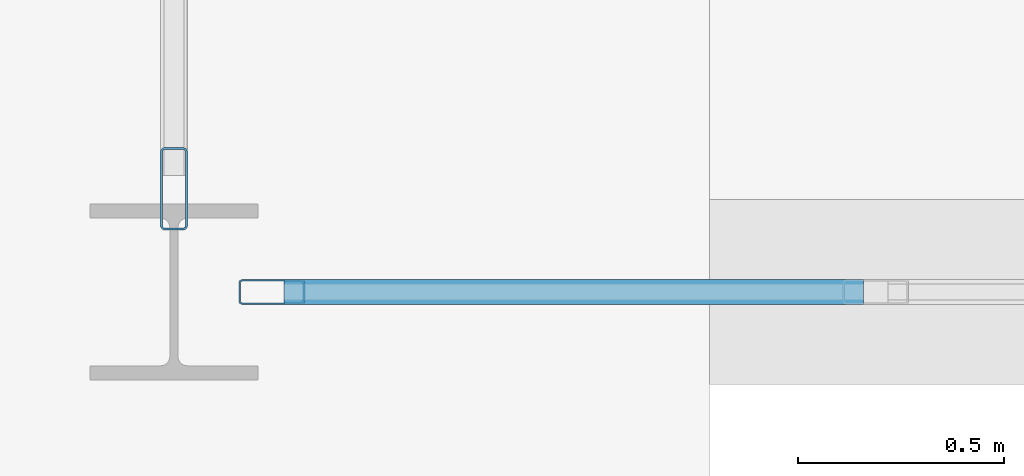
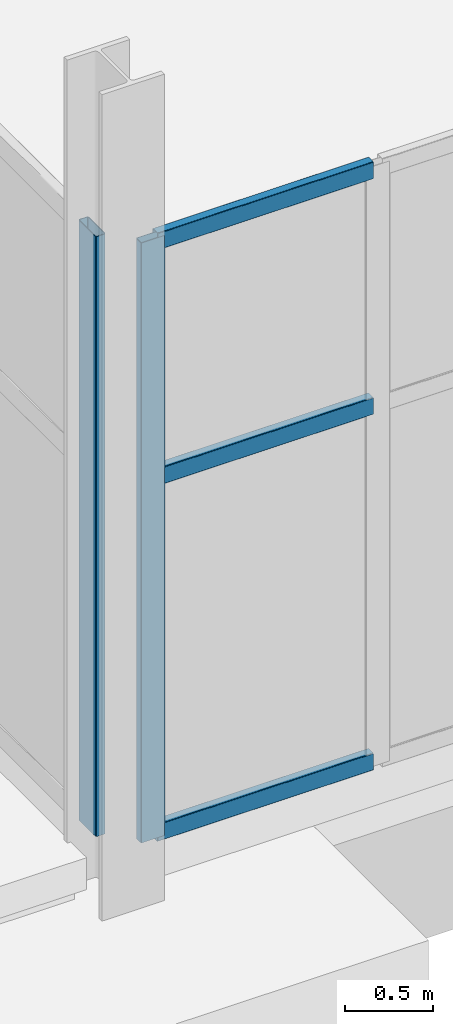
# One storey, part 21 of 95: 5 members, 2 elements without a shape of their own.
"""IFC4 building model written with IfcOpenShell, lengths in metres."""

from ifc_helpers import new_model, si_unit, direction, frame, origin, origin_2d, place, context, subcontext, project, spatial, hollow_rectangle, extrude, material, material_profile, profile_set, type_object, element, aggregate, save


model = new_model("IFC4")

# Units and contexts
model_context = context("Model", 3, precision=1e-05, world=origin(), true_north=direction((0.0, 1.0)))
body_context = subcontext(model_context, "Body", "Model", "MODEL_VIEW")
ifc_project = project(units=[si_unit("LENGTHUNIT", "METRE"), si_unit("AREAUNIT", "SQUARE_METRE"), si_unit("VOLUMEUNIT", "CUBIC_METRE"), si_unit("PLANEANGLEUNIT", "RADIAN"), si_unit("MASSUNIT", "GRAM", prefix="KILO")], contexts=[model_context])

# Site, building, storey
site_placement = place(None, origin())
site = spatial("IfcSite", under=ifc_project, at=site_placement, CompositionType="ELEMENT")
building_placement = place(site_placement, origin())
building = spatial("IfcBuilding", under=site, at=building_placement, Name="Shengluoqiao Park Theatre", CompositionType="ELEMENT")
storey_placement = place(building_placement, origin())
storey = spatial("IfcBuildingStorey", under=building, at=storey_placement, Name="L00", CompositionType="ELEMENT", Elevation=0.0)

# Curtain wall, member
ifc_material = material(Name="Aluminium 6063-T6", Category="aluminium")
curtain_wall_type = type_object("IfcCurtainWallType", Name="ENV-CW-STUDIO", PredefinedType="NOTDEFINED", material=ifc_material)
curtain_wall_1_placement = place(storey_placement, origin())
curtain_wall_1 = element("IfcCurtainWall", 1, at=curtain_wall_1_placement, inside=storey, type_object=curtain_wall_type, Name="L00 Curtain Wall CWX-L00-0011", PredefinedType="NOTDEFINED")
ifc_material_profile_1 = material_profile(ifc_material, hollow_rectangle(XDim=0.06005859375, YDim=0.159912109375, WallThickness=0.00390625, InnerFilletRadius=0.00390625, OuterFilletRadius=0.008056640625, at=origin_2d()), Name="ALU MULLION 160x60x4")
ifc_profile_set_1 = profile_set([ifc_material_profile_1], Name="Aluminium 6063-T6")
member_type_1 = type_object("IfcMemberType", Name="ENV-MUL-160", PredefinedType="MULLION", material=ifc_profile_set_1)
member_1_placement = place(storey_placement, frame((13.03759765625, 30.39990234375, 0.0), z_axis=(0.0, 0.0, 1.0), x_axis=(0.0, 1.0, 0.0)))
member_1 = element("IfcMember", 2, at=member_1_placement, type_object=member_type_1, Name="CW-02 mullion 1", PredefinedType="MULLION", context=body_context, shape_type="SweptSolid", body=[
    extrude(hollow_rectangle(XDim=0.06005859375, YDim=0.159912109375, WallThickness=0.00390625, InnerFilletRadius=0.00390625, OuterFilletRadius=0.008056640625, at=origin_2d()), origin(), (0.0, 0.0, 1.0), 4.137939453125),
])

curtain_wall_2_placement = place(storey_placement, origin())
curtain_wall_2 = element("IfcCurtainWall", 3, at=curtain_wall_2_placement, inside=storey, type_object=curtain_wall_type, Name="L00 Curtain Wall CW-L00-0009", PredefinedType="NOTDEFINED")
ifc_material_profile_2 = material_profile(ifc_material, hollow_rectangle(XDim=0.06494140625, YDim=0.199951171875, WallThickness=0.0048828125, InnerFilletRadius=0.0048828125, OuterFilletRadius=0.010009765625, at=origin_2d()), Name="ALU MULLION 200x65x5")
ifc_profile_set_2 = profile_set([ifc_material_profile_2], Name="Aluminium 6063-T6")
member_type_2 = type_object("IfcMemberType", Name="ENV-MUL-200", PredefinedType="MULLION", material=ifc_profile_set_2)
member_2_placement = place(storey_placement, frame((12.800048828125, 30.650390625, 0.0), z_axis=(0.0, 0.0, 1.0), x_axis=(-1.0, 0.0, 0.0)))
member_2 = element("IfcMember", 4, at=member_2_placement, type_object=member_type_2, Name="CW-02 mullion 1", PredefinedType="MULLION", context=body_context, shape_type="SweptSolid", body=[
    extrude(hollow_rectangle(XDim=0.06494140625, YDim=0.199951171875, WallThickness=0.0048828125, InnerFilletRadius=0.0048828125, OuterFilletRadius=0.010009765625, at=origin_2d()), origin(), (0.0, 0.0, 1.0), 4.137939453125),
])
aggregate(curtain_wall_2, [member_2])

# Member
ifc_material_profile_3 = material_profile(ifc_material, hollow_rectangle(XDim=0.06005859375, YDim=0.1201171875, WallThickness=0.00390625, InnerFilletRadius=0.00390625, OuterFilletRadius=0.008056640625, at=origin_2d()), Name="ALU TRANSOM 120x60x4")
ifc_profile_set_3 = profile_set([ifc_material_profile_3], Name="Aluminium 6063-T6")
member_type_3 = type_object("IfcMemberType", Name="ENV-TRN-120", PredefinedType="USERDEFINED", material=ifc_profile_set_3)
member_3_placement = place(storey_placement, frame((13.0673828125, 30.39990234375, 0.030029296875), z_axis=(1.0, 0.0, 0.0), x_axis=(0.0, 1.0, 0.0)))
member_3 = element("IfcMember", 5, at=member_3_placement, type_object=member_type_3, Name="CW-02 transom 1.1", ObjectType="TRANSOM", PredefinedType="USERDEFINED", context=body_context, shape_type="SweptSolid", body=[
    extrude(hollow_rectangle(XDim=0.06005859375, YDim=0.1201171875, WallThickness=0.00390625, InnerFilletRadius=0.00390625, OuterFilletRadius=0.008056640625, at=origin_2d()), origin(), (0.0, 0.0, 1.0), 1.40625),
])

member_4_placement = place(storey_placement, frame((13.0673828125, 30.39990234375, 2.48291015625), z_axis=(1.0, 0.0, 0.0), x_axis=(0.0, 1.0, 0.0)))
member_4 = element("IfcMember", 6, at=member_4_placement, type_object=member_type_3, Name="CW-02 transom 1.2", ObjectType="TRANSOM", PredefinedType="USERDEFINED", context=body_context, shape_type="SweptSolid", body=[
    extrude(hollow_rectangle(XDim=0.06005859375, YDim=0.1201171875, WallThickness=0.00390625, InnerFilletRadius=0.00390625, OuterFilletRadius=0.008056640625, at=origin_2d()), origin(), (0.0, 0.0, 1.0), 1.40625),
])

member_5_placement = place(storey_placement, frame((13.0673828125, 30.39990234375, 4.10791015625), z_axis=(1.0, 0.0, 0.0), x_axis=(0.0, 1.0, 0.0)))
member_5 = element("IfcMember", 7, at=member_5_placement, type_object=member_type_3, Name="CW-02 transom 1.3", ObjectType="TRANSOM", PredefinedType="USERDEFINED", context=body_context, shape_type="SweptSolid", body=[
    extrude(hollow_rectangle(XDim=0.06005859375, YDim=0.1201171875, WallThickness=0.00390625, InnerFilletRadius=0.00390625, OuterFilletRadius=0.008056640625, at=origin_2d()), origin(), (0.0, 0.0, 1.0), 1.40625),
])

aggregate(curtain_wall_1, [member_1, member_3, member_4, member_5])

save(model, "model.ifc")
